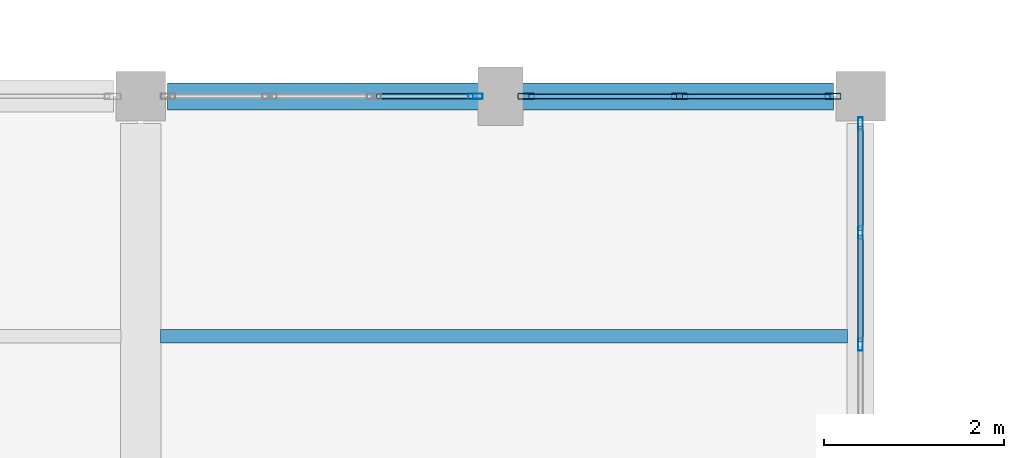
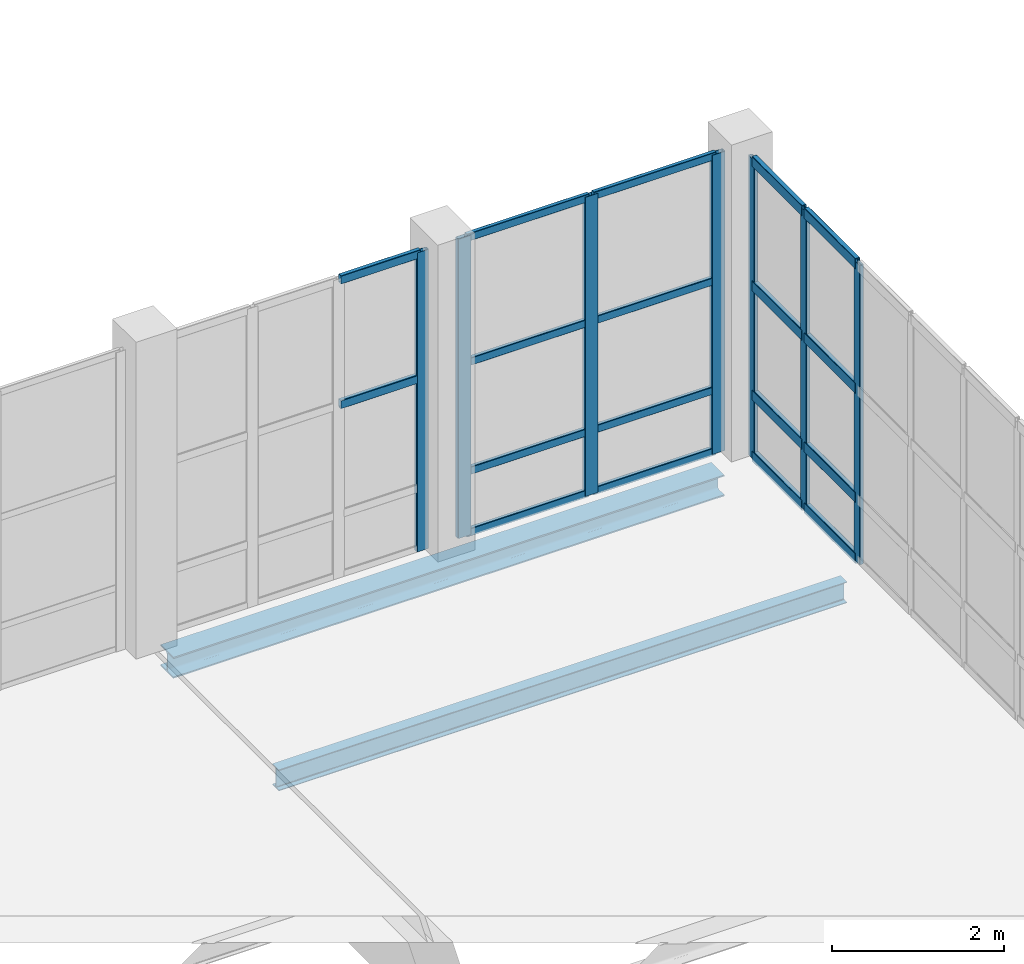
# One storey, part 35 of 183: 25 members, 2 beams, 3 elements without a shape of their own.
"""IFC4 building model written with IfcOpenShell, lengths in metres."""

from ifc_helpers import new_model, si_unit, direction, frame, origin, origin_2d, place, context, subcontext, project, spatial, hollow_rectangle, i_section, extrude, material, material_profile, profile_set, type_object, element, aggregate, save


model = new_model("IFC4")

# Units and contexts
model_context = context("Model", 3, precision=1e-05, world=origin(), true_north=direction((0.0, 1.0)))
body_context = subcontext(model_context, "Body", "Model", "MODEL_VIEW")
ifc_project = project(units=[si_unit("LENGTHUNIT", "METRE"), si_unit("AREAUNIT", "SQUARE_METRE"), si_unit("VOLUMEUNIT", "CUBIC_METRE"), si_unit("PLANEANGLEUNIT", "RADIAN"), si_unit("MASSUNIT", "GRAM", prefix="KILO")], contexts=[model_context])

# Site, building, storey
site_placement = place(None, origin())
site = spatial("IfcSite", under=ifc_project, at=site_placement, CompositionType="ELEMENT")
building_placement = place(site_placement, origin())
building = spatial("IfcBuilding", under=site, at=building_placement, Name="Luwemba Playhouse", CompositionType="ELEMENT")
storey_placement = place(building_placement, frame((0.0, 0.0, 4.800048828125)))
storey = spatial("IfcBuildingStorey", under=building, at=storey_placement, Name="L01", CompositionType="ELEMENT", Elevation=4.800048828125)

# Beams
ifc_material_1 = material(Name="Steel S355", Category="steel")
ifc_material_profile_1 = material_profile(ifc_material_1, i_section(OverallWidth=0.14990234375, OverallDepth=0.300048828125, WebThickness=0.007080078125, FlangeThickness=0.0107421875, FilletRadius=0.014892578125, at=origin_2d()))
ifc_profile_set_1 = profile_set([ifc_material_profile_1], Name="Steel S355")
beam_type_1 = type_object("IfcBeamType", Name="BM-SJ05", PredefinedType="JOIST", material=ifc_profile_set_1)
beam_1_placement = place(storey_placement, frame((52.220947265625, 24.333251953125, -0.400146484375), z_axis=(1.0, 0.0, 0.0), x_axis=(0.0, 1.0, 0.0)))
element("IfcBeam", 1, at=beam_1_placement, inside=storey, type_object=beam_type_1, Name="L01 composite floor joist 0306", PredefinedType="JOIST", context=body_context, shape_type="SweptSolid", body=[
    extrude(i_section(OverallWidth=0.14990234375, OverallDepth=0.300048828125, WebThickness=0.007080078125, FlangeThickness=0.0107421875, FilletRadius=0.014892578125, at=origin_2d()), origin(), (0.0, 0.0, 1.0), 7.633056640625),
])
ifc_material_profile_2 = material_profile(ifc_material_1, i_section(OverallWidth=0.300048828125, OverallDepth=0.300048828125, WebThickness=0.010986328125, FlangeThickness=0.01904296875, FilletRadius=0.027099609375, at=origin_2d()))
ifc_profile_set_2 = profile_set([ifc_material_profile_2], Name="Steel S355")
beam_type_2 = type_object("IfcBeamType", Name="BM-SSP1", PredefinedType="SPANDREL", material=ifc_profile_set_2)
beam_2_placement = place(storey_placement, frame((52.300048828125, 27.0, -0.400146484375), z_axis=(1.0, 0.0, 0.0), x_axis=(0.0, 1.0, 0.0)))
element("IfcBeam", 2, at=beam_2_placement, inside=storey, type_object=beam_type_2, Name="L01 grid girder 0495", PredefinedType="SPANDREL", context=body_context, shape_type="SweptSolid", body=[
    extrude(i_section(OverallWidth=0.300048828125, OverallDepth=0.300048828125, WebThickness=0.010986328125, FlangeThickness=0.01904296875, FilletRadius=0.027099609375, at=origin_2d()), origin(), (0.0, 0.0, 1.0), 7.39990234375),
])

# Curtain wall, member
ifc_material_2 = material(Name="Solar-control double glazing", Category="glass")
curtain_wall_type_1 = type_object("IfcCurtainWallType", Name="CW-CW103", PredefinedType="USERDEFINED", material=ifc_material_2)
curtain_wall_1_placement = place(storey_placement, origin())
curtain_wall_1 = element("IfcCurtainWall", 3, at=curtain_wall_1_placement, inside=storey, type_object=curtain_wall_type_1, Name="L01 V5W unitised curtain wall 134", ObjectType="UNITISED GLAZING", PredefinedType="USERDEFINED")
ifc_material_3 = material(Name="Aluminium 6063-T6", Category="aluminium")
ifc_material_profile_3 = material_profile(ifc_material_3, hollow_rectangle(XDim=0.06005859375, YDim=0.159912109375, WallThickness=0.00390625, InnerFilletRadius=0.006103515625, OuterFilletRadius=0.010009765625, at=origin_2d()))
ifc_profile_set_3 = profile_set([ifc_material_profile_3], Name="Aluminium 6063-T6")
member_type_1 = type_object("IfcMemberType", Name="CWM-M1", PredefinedType="MULLION", material=ifc_profile_set_3)
member_1_placement = place(storey_placement, frame((55.719970703125, 27.0, 0.0), z_axis=(0.0, 0.0, 1.0), x_axis=(0.0, 1.0, 0.0)))
member_1 = element("IfcMember", 4, at=member_1_placement, type_object=member_type_1, Name="CW103 mullion 4", PredefinedType="MULLION", context=body_context, shape_type="SweptSolid", body=[
    extrude(hollow_rectangle(XDim=0.06005859375, YDim=0.159912109375, WallThickness=0.00390625, InnerFilletRadius=0.006103515625, OuterFilletRadius=0.010009765625, at=origin_2d()), origin(), (0.0, 0.0, 1.0), 4.25),
])

# Curtain wall, members
curtain_wall_type_2 = type_object("IfcCurtainWallType", Name="CW-CW104", PredefinedType="USERDEFINED", material=ifc_material_2)
curtain_wall_2_placement = place(storey_placement, origin())
curtain_wall_2 = element("IfcCurtainWall", 5, at=curtain_wall_2_placement, inside=storey, type_object=curtain_wall_type_2, Name="L01 V5W unitised curtain wall 135", ObjectType="UNITISED GLAZING", PredefinedType="USERDEFINED")
ifc_material_profile_4 = material_profile(ifc_material_3, hollow_rectangle(XDim=0.06494140625, YDim=0.179931640625, WallThickness=0.00439453125, InnerFilletRadius=0.0068359375, OuterFilletRadius=0.01123046875, at=origin_2d()))
ifc_profile_set_4 = profile_set([ifc_material_profile_4], Name="Aluminium 6063-T6")
member_type_2 = type_object("IfcMemberType", Name="CWM-M2", PredefinedType="MULLION", material=ifc_profile_set_4)
member_2_placement = place(storey_placement, frame((56.282470703125, 27.0, 0.0), z_axis=(0.0, 0.0, 1.0), x_axis=(0.0, 1.0, 0.0)))
member_2 = element("IfcMember", 6, at=member_2_placement, type_object=member_type_2, Name="CW104 mullion 1", PredefinedType="MULLION", context=body_context, shape_type="SweptSolid", body=[
    extrude(hollow_rectangle(XDim=0.06494140625, YDim=0.179931640625, WallThickness=0.00439453125, InnerFilletRadius=0.0068359375, OuterFilletRadius=0.01123046875, at=origin_2d()), origin(), (0.0, 0.0, 1.0), 4.25),
])
member_3_placement = place(storey_placement, frame((57.987548828125, 27.0, 0.0), z_axis=(0.0, 0.0, 1.0), x_axis=(0.0, 1.0, 0.0)))
member_3 = element("IfcMember", 7, at=member_3_placement, type_object=member_type_2, Name="CW104 mullion 2", PredefinedType="MULLION", context=body_context, shape_type="SweptSolid", body=[
    extrude(hollow_rectangle(XDim=0.06494140625, YDim=0.179931640625, WallThickness=0.00439453125, InnerFilletRadius=0.0068359375, OuterFilletRadius=0.01123046875, at=origin_2d()), origin(), (0.0, 0.0, 1.0), 4.25),
])
member_4_placement = place(storey_placement, frame((59.6923828125, 27.0, 0.0), z_axis=(0.0, 0.0, 1.0), x_axis=(0.0, 1.0, 0.0)))
member_4 = element("IfcMember", 8, at=member_4_placement, type_object=member_type_2, Name="CW104 mullion 3", PredefinedType="MULLION", context=body_context, shape_type="SweptSolid", body=[
    extrude(hollow_rectangle(XDim=0.06494140625, YDim=0.179931640625, WallThickness=0.00439453125, InnerFilletRadius=0.0068359375, OuterFilletRadius=0.01123046875, at=origin_2d()), origin(), (0.0, 0.0, 1.0), 4.25),
])

curtain_wall_type_3 = type_object("IfcCurtainWallType", Name="CW-CW105", PredefinedType="USERDEFINED", material=ifc_material_2)
curtain_wall_3_placement = place(storey_placement, origin())
curtain_wall_3 = element("IfcCurtainWall", 9, at=curtain_wall_3_placement, inside=storey, type_object=curtain_wall_type_3, Name="L01 V5W unitised curtain wall 136", ObjectType="UNITISED GLAZING", PredefinedType="USERDEFINED")
ifc_material_profile_5 = material_profile(ifc_material_3, hollow_rectangle(XDim=0.054931640625, YDim=0.139892578125, WallThickness=0.00390625, InnerFilletRadius=0.006103515625, OuterFilletRadius=0.010009765625, at=origin_2d()))
ifc_profile_set_5 = profile_set([ifc_material_profile_5], Name="Aluminium 6063-T6")
member_type_3 = type_object("IfcMemberType", Name="CWM-M3", PredefinedType="MULLION", material=ifc_profile_set_5)
member_5_placement = place(storey_placement, frame((60.0, 26.697509765625, 0.0), z_axis=(0.0, 0.0, 1.0), x_axis=(1.0, 0.0, 0.0)))
member_5 = element("IfcMember", 10, at=member_5_placement, type_object=member_type_3, Name="CW105 mullion 1", PredefinedType="MULLION", context=body_context, shape_type="SweptSolid", body=[
    extrude(hollow_rectangle(XDim=0.054931640625, YDim=0.139892578125, WallThickness=0.00390625, InnerFilletRadius=0.006103515625, OuterFilletRadius=0.010009765625, at=origin_2d()), origin(), (0.0, 0.0, 1.0), 4.25),
])
member_6_placement = place(storey_placement, frame((60.0, 25.4833984375, 0.0), z_axis=(0.0, 0.0, 1.0), x_axis=(1.0, 0.0, 0.0)))
member_6 = element("IfcMember", 11, at=member_6_placement, type_object=member_type_3, Name="CW105 mullion 2", PredefinedType="MULLION", context=body_context, shape_type="SweptSolid", body=[
    extrude(hollow_rectangle(XDim=0.054931640625, YDim=0.139892578125, WallThickness=0.00390625, InnerFilletRadius=0.006103515625, OuterFilletRadius=0.010009765625, at=origin_2d()), origin(), (0.0, 0.0, 1.0), 4.25),
])
member_7_placement = place(storey_placement, frame((60.0, 24.24169921875, 0.0), z_axis=(0.0, 0.0, 1.0), x_axis=(1.0, 0.0, 0.0)))
member_7 = element("IfcMember", 12, at=member_7_placement, type_object=member_type_3, Name="CW105 mullion 3", PredefinedType="MULLION", context=body_context, shape_type="SweptSolid", body=[
    extrude(hollow_rectangle(XDim=0.054931640625, YDim=0.139892578125, WallThickness=0.00390625, InnerFilletRadius=0.006103515625, OuterFilletRadius=0.010009765625, at=origin_2d()), origin(), (0.0, 0.0, 1.0), 4.25),
])

# Member
ifc_material_profile_6 = material_profile(ifc_material_3, hollow_rectangle(XDim=0.06005859375, YDim=0.1201171875, WallThickness=0.00390625, InnerFilletRadius=0.006103515625, OuterFilletRadius=0.010009765625, at=origin_2d()))
ifc_profile_set_6 = profile_set([ifc_material_profile_6], Name="Aluminium 6063-T6")
member_type_4 = type_object("IfcMemberType", Name="CWT-T1", PredefinedType="USERDEFINED", material=ifc_profile_set_6)
member_8_placement = place(storey_placement, frame((54.62158203125, 27.0, 2.449951171875), z_axis=(1.0, 0.0, 0.0), x_axis=(0.0, 1.0, 0.0)))
member_8 = element("IfcMember", 13, at=member_8_placement, type_object=member_type_4, Name="CW103 transom 3.3", ObjectType="TRANSOM", PredefinedType="USERDEFINED", context=body_context, shape_type="SweptSolid", body=[
    extrude(hollow_rectangle(XDim=0.06005859375, YDim=0.1201171875, WallThickness=0.00390625, InnerFilletRadius=0.006103515625, OuterFilletRadius=0.010009765625, at=origin_2d()), origin(), (0.0, 0.0, 1.0), 1.068359375),
])

member_9_placement = place(storey_placement, frame((54.62158203125, 27.0, 4.219970703125), z_axis=(1.0, 0.0, 0.0), x_axis=(0.0, 1.0, 0.0)))
member_9 = element("IfcMember", 14, at=member_9_placement, type_object=member_type_4, Name="CW103 transom 3.4", ObjectType="TRANSOM", PredefinedType="USERDEFINED", context=body_context, shape_type="SweptSolid", body=[
    extrude(hollow_rectangle(XDim=0.06005859375, YDim=0.1201171875, WallThickness=0.00390625, InnerFilletRadius=0.006103515625, OuterFilletRadius=0.010009765625, at=origin_2d()), origin(), (0.0, 0.0, 1.0), 1.068359375),
])

aggregate(curtain_wall_1, [member_1, member_8, member_9])

ifc_material_profile_7 = material_profile(ifc_material_3, hollow_rectangle(XDim=0.054931640625, YDim=0.110107421875, WallThickness=0.00341796875, InnerFilletRadius=0.00537109375, OuterFilletRadius=0.0087890625, at=origin_2d()))
ifc_profile_set_7 = profile_set([ifc_material_profile_7], Name="Aluminium 6063-T6")
member_type_5 = type_object("IfcMemberType", Name="CWT-T2", PredefinedType="USERDEFINED", material=ifc_profile_set_7)
member_10_placement = place(storey_placement, frame((56.31494140625, 27.0, 0.02734375), z_axis=(1.0, 0.0, 0.0), x_axis=(0.0, 1.0, 0.0)))
member_10 = element("IfcMember", 15, at=member_10_placement, type_object=member_type_5, Name="CW104 transom 1.1", ObjectType="TRANSOM", PredefinedType="USERDEFINED", context=body_context, shape_type="SweptSolid", body=[
    extrude(hollow_rectangle(XDim=0.054931640625, YDim=0.110107421875, WallThickness=0.00341796875, InnerFilletRadius=0.00537109375, OuterFilletRadius=0.0087890625, at=origin_2d()), origin(), (0.0, 0.0, 1.0), 1.64013671875),
])

member_11_placement = place(storey_placement, frame((56.31494140625, 27.0, 0.89990234375), z_axis=(1.0, 0.0, 0.0), x_axis=(0.0, 1.0, 0.0)))
member_11 = element("IfcMember", 16, at=member_11_placement, type_object=member_type_5, Name="CW104 transom 1.2", ObjectType="TRANSOM", PredefinedType="USERDEFINED", context=body_context, shape_type="SweptSolid", body=[
    extrude(hollow_rectangle(XDim=0.054931640625, YDim=0.110107421875, WallThickness=0.00341796875, InnerFilletRadius=0.00537109375, OuterFilletRadius=0.0087890625, at=origin_2d()), origin(), (0.0, 0.0, 1.0), 1.64013671875),
])

member_12_placement = place(storey_placement, frame((56.31494140625, 27.0, 2.449951171875), z_axis=(1.0, 0.0, 0.0), x_axis=(0.0, 1.0, 0.0)))
member_12 = element("IfcMember", 17, at=member_12_placement, type_object=member_type_5, Name="CW104 transom 1.3", ObjectType="TRANSOM", PredefinedType="USERDEFINED", context=body_context, shape_type="SweptSolid", body=[
    extrude(hollow_rectangle(XDim=0.054931640625, YDim=0.110107421875, WallThickness=0.00341796875, InnerFilletRadius=0.00537109375, OuterFilletRadius=0.0087890625, at=origin_2d()), origin(), (0.0, 0.0, 1.0), 1.64013671875),
])

member_13_placement = place(storey_placement, frame((56.31494140625, 27.0, 4.222412109375), z_axis=(1.0, 0.0, 0.0), x_axis=(0.0, 1.0, 0.0)))
member_13 = element("IfcMember", 18, at=member_13_placement, type_object=member_type_5, Name="CW104 transom 1.4", ObjectType="TRANSOM", PredefinedType="USERDEFINED", context=body_context, shape_type="SweptSolid", body=[
    extrude(hollow_rectangle(XDim=0.054931640625, YDim=0.110107421875, WallThickness=0.00341796875, InnerFilletRadius=0.00537109375, OuterFilletRadius=0.0087890625, at=origin_2d()), origin(), (0.0, 0.0, 1.0), 1.64013671875),
])

member_14_placement = place(storey_placement, frame((58.02001953125, 27.0, 0.02734375), z_axis=(1.0, 0.0, 0.0), x_axis=(0.0, 1.0, 0.0)))
member_14 = element("IfcMember", 19, at=member_14_placement, type_object=member_type_5, Name="CW104 transom 2.1", ObjectType="TRANSOM", PredefinedType="USERDEFINED", context=body_context, shape_type="SweptSolid", body=[
    extrude(hollow_rectangle(XDim=0.054931640625, YDim=0.110107421875, WallThickness=0.00341796875, InnerFilletRadius=0.00537109375, OuterFilletRadius=0.0087890625, at=origin_2d()), origin(), (0.0, 0.0, 1.0), 1.639892578125),
])

member_15_placement = place(storey_placement, frame((58.02001953125, 27.0, 0.89990234375), z_axis=(1.0, 0.0, 0.0), x_axis=(0.0, 1.0, 0.0)))
member_15 = element("IfcMember", 20, at=member_15_placement, type_object=member_type_5, Name="CW104 transom 2.2", ObjectType="TRANSOM", PredefinedType="USERDEFINED", context=body_context, shape_type="SweptSolid", body=[
    extrude(hollow_rectangle(XDim=0.054931640625, YDim=0.110107421875, WallThickness=0.00341796875, InnerFilletRadius=0.00537109375, OuterFilletRadius=0.0087890625, at=origin_2d()), origin(), (0.0, 0.0, 1.0), 1.639892578125),
])

member_16_placement = place(storey_placement, frame((58.02001953125, 27.0, 2.449951171875), z_axis=(1.0, 0.0, 0.0), x_axis=(0.0, 1.0, 0.0)))
member_16 = element("IfcMember", 21, at=member_16_placement, type_object=member_type_5, Name="CW104 transom 2.3", ObjectType="TRANSOM", PredefinedType="USERDEFINED", context=body_context, shape_type="SweptSolid", body=[
    extrude(hollow_rectangle(XDim=0.054931640625, YDim=0.110107421875, WallThickness=0.00341796875, InnerFilletRadius=0.00537109375, OuterFilletRadius=0.0087890625, at=origin_2d()), origin(), (0.0, 0.0, 1.0), 1.639892578125),
])

member_17_placement = place(storey_placement, frame((58.02001953125, 27.0, 4.222412109375), z_axis=(1.0, 0.0, 0.0), x_axis=(0.0, 1.0, 0.0)))
member_17 = element("IfcMember", 22, at=member_17_placement, type_object=member_type_5, Name="CW104 transom 2.4", ObjectType="TRANSOM", PredefinedType="USERDEFINED", context=body_context, shape_type="SweptSolid", body=[
    extrude(hollow_rectangle(XDim=0.054931640625, YDim=0.110107421875, WallThickness=0.00341796875, InnerFilletRadius=0.00537109375, OuterFilletRadius=0.0087890625, at=origin_2d()), origin(), (0.0, 0.0, 1.0), 1.639892578125),
])

aggregate(curtain_wall_2, [member_2, member_3, member_4, member_10, member_11, member_12, member_13, member_14, member_15, member_16, member_17])

ifc_material_profile_8 = material_profile(ifc_material_3, hollow_rectangle(XDim=0.06494140625, YDim=0.14990234375, WallThickness=0.00390625, InnerFilletRadius=0.006103515625, OuterFilletRadius=0.010009765625, at=origin_2d()))
ifc_profile_set_8 = profile_set([ifc_material_profile_8], Name="Aluminium 6063-T6")
member_type_6 = type_object("IfcMemberType", Name="CWT-T3", PredefinedType="USERDEFINED", material=ifc_profile_set_8)
member_18_placement = place(storey_placement, frame((60.0, 26.669921875, 0.032470703125), z_axis=(0.0, -1.0, 0.0), x_axis=(1.0, 0.0, 0.0)))
member_18 = element("IfcMember", 23, at=member_18_placement, type_object=member_type_6, Name="CW105 transom 1.1", ObjectType="TRANSOM", PredefinedType="USERDEFINED", context=body_context, shape_type="SweptSolid", body=[
    extrude(hollow_rectangle(XDim=0.06494140625, YDim=0.14990234375, WallThickness=0.00390625, InnerFilletRadius=0.006103515625, OuterFilletRadius=0.010009765625, at=origin_2d()), origin(), (0.0, 0.0, 1.0), 1.1591796875),
])

member_19_placement = place(storey_placement, frame((60.0, 26.669921875, 0.89990234375), z_axis=(0.0, -1.0, 0.0), x_axis=(1.0, 0.0, 0.0)))
member_19 = element("IfcMember", 24, at=member_19_placement, type_object=member_type_6, Name="CW105 transom 1.2", ObjectType="TRANSOM", PredefinedType="USERDEFINED", context=body_context, shape_type="SweptSolid", body=[
    extrude(hollow_rectangle(XDim=0.06494140625, YDim=0.14990234375, WallThickness=0.00390625, InnerFilletRadius=0.006103515625, OuterFilletRadius=0.010009765625, at=origin_2d()), origin(), (0.0, 0.0, 1.0), 1.1591796875),
])

member_20_placement = place(storey_placement, frame((60.0, 26.669921875, 2.449951171875), z_axis=(0.0, -1.0, 0.0), x_axis=(1.0, 0.0, 0.0)))
member_20 = element("IfcMember", 25, at=member_20_placement, type_object=member_type_6, Name="CW105 transom 1.3", ObjectType="TRANSOM", PredefinedType="USERDEFINED", context=body_context, shape_type="SweptSolid", body=[
    extrude(hollow_rectangle(XDim=0.06494140625, YDim=0.14990234375, WallThickness=0.00390625, InnerFilletRadius=0.006103515625, OuterFilletRadius=0.010009765625, at=origin_2d()), origin(), (0.0, 0.0, 1.0), 1.1591796875),
])

member_21_placement = place(storey_placement, frame((60.0, 26.669921875, 4.217529296875), z_axis=(0.0, -1.0, 0.0), x_axis=(1.0, 0.0, 0.0)))
member_21 = element("IfcMember", 26, at=member_21_placement, type_object=member_type_6, Name="CW105 transom 1.4", ObjectType="TRANSOM", PredefinedType="USERDEFINED", context=body_context, shape_type="SweptSolid", body=[
    extrude(hollow_rectangle(XDim=0.06494140625, YDim=0.14990234375, WallThickness=0.00390625, InnerFilletRadius=0.006103515625, OuterFilletRadius=0.010009765625, at=origin_2d()), origin(), (0.0, 0.0, 1.0), 1.1591796875),
])

member_22_placement = place(storey_placement, frame((60.0, 25.455810546875, 0.032470703125), z_axis=(0.0, -1.0, 0.0), x_axis=(1.0, 0.0, 0.0)))
member_22 = element("IfcMember", 27, at=member_22_placement, type_object=member_type_6, Name="CW105 transom 2.1", ObjectType="TRANSOM", PredefinedType="USERDEFINED", context=body_context, shape_type="SweptSolid", body=[
    extrude(hollow_rectangle(XDim=0.06494140625, YDim=0.14990234375, WallThickness=0.00390625, InnerFilletRadius=0.006103515625, OuterFilletRadius=0.010009765625, at=origin_2d()), origin(), (0.0, 0.0, 1.0), 1.1865234375),
])

member_23_placement = place(storey_placement, frame((60.0, 25.455810546875, 0.89990234375), z_axis=(0.0, -1.0, 0.0), x_axis=(1.0, 0.0, 0.0)))
member_23 = element("IfcMember", 28, at=member_23_placement, type_object=member_type_6, Name="CW105 transom 2.2", ObjectType="TRANSOM", PredefinedType="USERDEFINED", context=body_context, shape_type="SweptSolid", body=[
    extrude(hollow_rectangle(XDim=0.06494140625, YDim=0.14990234375, WallThickness=0.00390625, InnerFilletRadius=0.006103515625, OuterFilletRadius=0.010009765625, at=origin_2d()), origin(), (0.0, 0.0, 1.0), 1.1865234375),
])

member_24_placement = place(storey_placement, frame((60.0, 25.455810546875, 2.449951171875), z_axis=(0.0, -1.0, 0.0), x_axis=(1.0, 0.0, 0.0)))
member_24 = element("IfcMember", 29, at=member_24_placement, type_object=member_type_6, Name="CW105 transom 2.3", ObjectType="TRANSOM", PredefinedType="USERDEFINED", context=body_context, shape_type="SweptSolid", body=[
    extrude(hollow_rectangle(XDim=0.06494140625, YDim=0.14990234375, WallThickness=0.00390625, InnerFilletRadius=0.006103515625, OuterFilletRadius=0.010009765625, at=origin_2d()), origin(), (0.0, 0.0, 1.0), 1.1865234375),
])

member_25_placement = place(storey_placement, frame((60.0, 25.455810546875, 4.217529296875), z_axis=(0.0, -1.0, 0.0), x_axis=(1.0, 0.0, 0.0)))
member_25 = element("IfcMember", 30, at=member_25_placement, type_object=member_type_6, Name="CW105 transom 2.4", ObjectType="TRANSOM", PredefinedType="USERDEFINED", context=body_context, shape_type="SweptSolid", body=[
    extrude(hollow_rectangle(XDim=0.06494140625, YDim=0.14990234375, WallThickness=0.00390625, InnerFilletRadius=0.006103515625, OuterFilletRadius=0.010009765625, at=origin_2d()), origin(), (0.0, 0.0, 1.0), 1.1865234375),
])

aggregate(curtain_wall_3, [member_5, member_6, member_7, member_18, member_19, member_20, member_21, member_22, member_23, member_24, member_25])

save(model, "model.ifc")
